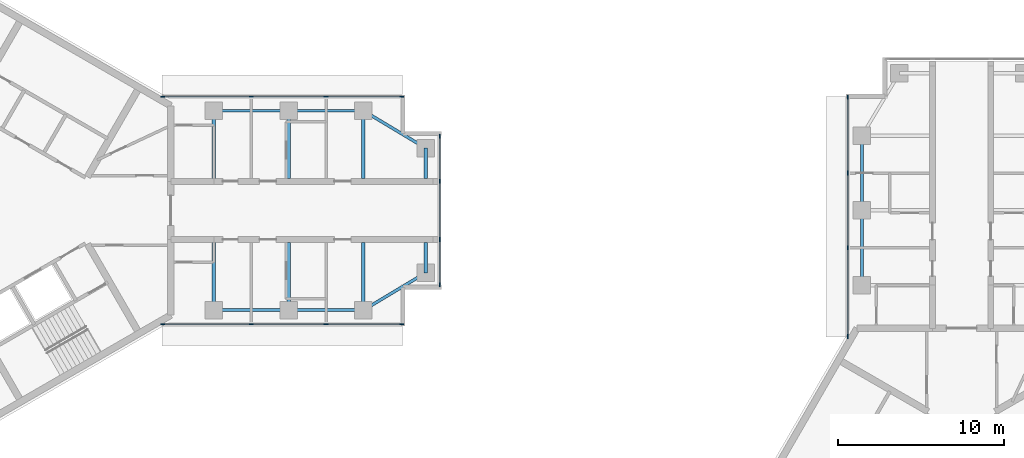
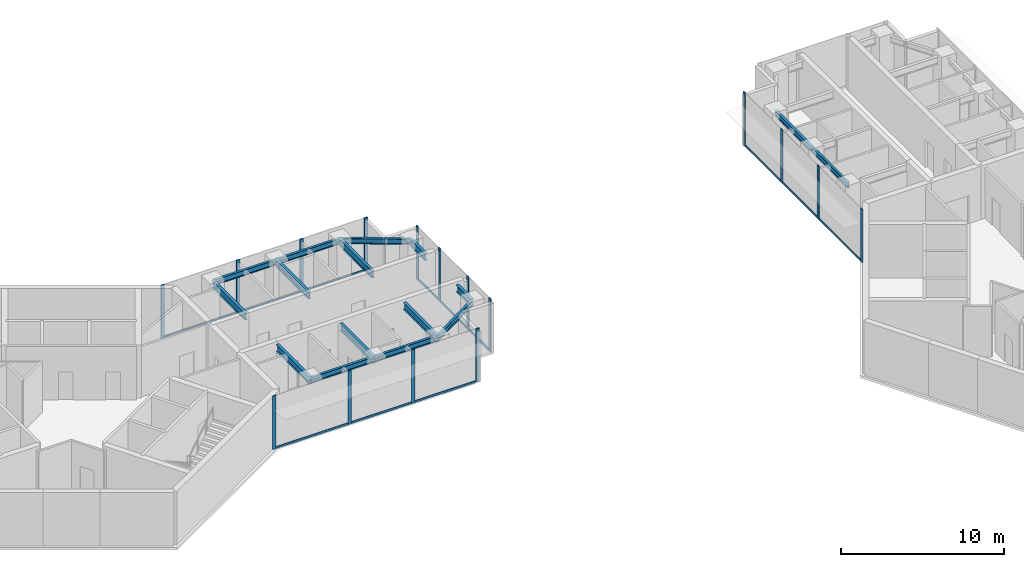
# One storey, part 2 of 11: 28 members, 16 beams, 4 elements without a shape of their own.
"""IFC4 building model written with IfcOpenShell, lengths in metres."""

import ifcopenshell
import ifcopenshell.guid

model = None  # the IFC model being written
_history = None  # IfcOwnerHistory: only IFC2X3 demands one
_inside = {}  # id of a spatial element -> (the spatial element, [elements in it])
_under = {}  # id of a project, library or spatial element -> (it, [spatial elements below it])
_declared = {}  # id of a project -> (the project, [libraries it declares])
_typed = {}  # id of a type object -> (the type object, [elements of that type])
_made_of = {}  # id of a material, layer set ... -> (it, [elements and type objects made of it])


def new_model(schema):
    """Start an empty IFC model of exactly this schema.

    Asked for "IFC4X3", IfcOpenShell would pick the latest addendum, in which some entities
    have other attributes; the version numbers below select the first issue.
    IFC2X3 requires an IfcOwnerHistory on every rooted entity: one is made here for all.
    """
    global model, _history
    if schema == "IFC4X3":
        model = ifcopenshell.file(schema_version=(4, 3, 0, 0))
    else:
        model = ifcopenshell.file(schema=schema)
    _inside.clear()
    _under.clear()
    _declared.clear()
    _typed.clear()
    _made_of.clear()
    _history = None
    if model.schema == "IFC2X3":
        org = make("IfcOrganization", Name="unknown")
        user = make(
            "IfcPersonAndOrganization",
            ThePerson=make("IfcPerson", FamilyName="unknown"),
            TheOrganization=org,
        )
        app = make(
            "IfcApplication",
            ApplicationDeveloper=org,
            Version="unknown",
            ApplicationFullName="unknown",
            ApplicationIdentifier="unknown",
        )
        _history = make(
            "IfcOwnerHistory",
            OwningUser=user,
            OwningApplication=app,
            ChangeAction="ADDED",
            CreationDate=0,
        )
    return model


def make(cls, **values):
    """One entity of the class cls with the attributes given. An attribute that is None is left unset."""
    return model.create_entity(
        cls, **{name: value for name, value in values.items() if value is not None}
    )


def rooted(cls, **values):
    """An entity with a GlobalId (a new one), such as an element, a storey or a relation."""
    return make(cls, GlobalId=ifcopenshell.guid.new(), OwnerHistory=_history, **values)


def si_unit(unit_type, name, prefix=None):
    """IfcSIUnit, for example si_unit("LENGTHUNIT", "METRE", prefix="MILLI")."""
    return make("IfcSIUnit", UnitType=unit_type, Prefix=prefix, Name=name)


def assignment(units):
    """IfcUnitAssignment: the units of a project."""
    return None if units is None else make("IfcUnitAssignment", Units=units)


def point(xyz):
    """IfcCartesianPoint."""
    return None if xyz is None else make("IfcCartesianPoint", Coordinates=xyz)


def direction(xyz):
    """IfcDirection."""
    return None if xyz is None else make("IfcDirection", DirectionRatios=xyz)


def frame(location, z_axis=None, x_axis=None):
    """IfcAxis2Placement3D, a coordinate frame: its origin and axes. An axis left out is left unset."""
    return make(
        "IfcAxis2Placement3D",
        Location=point(location),
        Axis=direction(z_axis),
        RefDirection=direction(x_axis),
    )


def frame_2d(location, x_axis=None):
    """IfcAxis2Placement2D, a coordinate frame in the plane: its origin and x axis."""
    return make(
        "IfcAxis2Placement2D", Location=point(location), RefDirection=direction(x_axis)
    )


def origin():
    """The frame at (0, 0, 0) with its axes left unset."""
    return frame((0.0, 0.0, 0.0))


def origin_2d():
    """The frame at (0, 0) in the plane with its x axis left unset."""
    return frame_2d((0.0, 0.0))


def place(relative_to, where):
    """IfcLocalPlacement: puts the frame where relative to a parent placement (None: the world)."""
    return make(
        "IfcLocalPlacement", PlacementRelTo=relative_to, RelativePlacement=where
    )


def context(
    kind, dimensions, precision=None, world=None, true_north=None, identifier=None
):
    """IfcGeometricRepresentationContext, for example the 3D "Model" context."""
    return make(
        "IfcGeometricRepresentationContext",
        ContextIdentifier=identifier,
        ContextType=kind,
        CoordinateSpaceDimension=dimensions,
        Precision=precision,
        WorldCoordinateSystem=world,
        TrueNorth=true_north,
    )


def subcontext(parent, identifier, kind, view, scale=None):
    """IfcGeometricRepresentationSubContext, for example "Body" below "Model"."""
    return make(
        "IfcGeometricRepresentationSubContext",
        ContextIdentifier=identifier,
        ContextType=kind,
        ParentContext=parent,
        TargetScale=scale,
        TargetView=view,
    )


def project(units=None, contexts=None):
    """IfcProject with its units and contexts."""
    return rooted(
        "IfcProject",
        Name="project",
        RepresentationContexts=contexts,
        UnitsInContext=assignment(units),
    )


def spatial(cls, under=None, at=None, **own):
    """A site, building, storey or space (cls), placed at a placement, below another one or the project."""
    s = rooted(cls, ObjectPlacement=at, **own)
    if under is not None:
        _under.setdefault(under.id(), (under, []))[1].append(s)
    return s


def profile(cls, at=None, kind="AREA", **sizes):
    """A parametric profile (cls). Its sizes go by their IFC names, for example OverallWidth=200.0."""
    return make(cls, ProfileType=kind, Position=at, **sizes)


def rectangle(**sizes):
    """IfcRectangleProfileDef."""
    return profile("IfcRectangleProfileDef", **sizes)


def i_section(**sizes):
    """IfcIShapeProfileDef."""
    return profile("IfcIShapeProfileDef", **sizes)


def extrude(swept, where, along, depth):
    """IfcExtrudedAreaSolid: the profile swept, set in the frame where, extruded along a direction by depth."""
    return make(
        "IfcExtrudedAreaSolid",
        SweptArea=swept,
        Position=where,
        ExtrudedDirection=direction(along),
        Depth=depth,
    )


def shape(context_of_items, identifier, shape_type, items):
    """IfcShapeRepresentation: the items that make up one representation, for example the "Body"."""
    return make(
        "IfcShapeRepresentation",
        ContextOfItems=context_of_items,
        RepresentationIdentifier=identifier,
        RepresentationType=shape_type,
        Items=items,
    )


def material(Name=None, Category=None):
    """IfcMaterial."""
    return make("IfcMaterial", Name=Name, Category=Category)


def material_profile(
    of_material, cross_section, Name=None, Category=None, Priority=None
):
    """IfcMaterialProfile: a cross section and its material."""
    return make(
        "IfcMaterialProfile",
        Name=Name,
        Material=of_material,
        Profile=cross_section,
        Priority=Priority,
        Category=Category,
    )


def profile_set(profiles, Name=None, composite=None):
    """IfcMaterialProfileSet."""
    return make(
        "IfcMaterialProfileSet",
        Name=Name,
        MaterialProfiles=profiles,
        CompositeProfile=composite,
    )


def made_of(thing, what):
    """Note that an element or type object is made of a material, layer set ...; save() writes the relation."""
    if what is not None:
        _made_of.setdefault(what.id(), (what, []))[1].append(thing)
    return thing


def type_object(cls, material=None, **own):
    """A type object (cls), such as IfcWallType, which elements share."""
    return made_of(rooted(cls, **own), material)


def element(
    cls,
    number,
    at=None,
    inside=None,
    cuts=None,
    type_object=None,
    material=None,
    context=None,
    identifier="Body",
    shape_type=None,
    held_by="IfcProductDefinitionShape",
    body=None,
    shapes=None,
    **own,
):
    """One element of the class cls, such as IfcWall. Its Tag is "e" and its number.

    at: its placement. inside: the storey or other place that contains it. cuts: it is an
    opening in that element (IfcRelVoidsElement). A single representation is given by context,
    identifier, shape_type and body (its items); several are given by shapes. held_by: the class
    of the entity that holds the representations. save() writes the other relations.
    """
    e = rooted(cls, Tag="e%d" % number, ObjectPlacement=at, **own)
    if body is not None:
        shapes = [shape(context, identifier, shape_type, body)]
    if shapes is not None:
        e.Representation = make(held_by, Representations=shapes)
    if inside is not None:
        _inside.setdefault(inside.id(), (inside, []))[1].append(e)
    if cuts is not None:
        rooted(
            "IfcRelVoidsElement", RelatingBuildingElement=cuts, RelatedOpeningElement=e
        )
    if type_object is not None:
        _typed.setdefault(type_object.id(), (type_object, []))[1].append(e)
    return made_of(e, material)


def aggregate(whole, parts):
    """IfcRelAggregates: a whole, such as a stair, and the parts it consists of."""
    return rooted("IfcRelAggregates", RelatingObject=whole, RelatedObjects=parts)


def save(model, path):
    """Write the relations noted so far, then the file.

    IfcRelAggregates (storeys below a building ...), IfcRelContainedInSpatialStructure (elements
    in a storey), IfcRelDefinesByType, IfcRelAssociatesMaterial and IfcRelDeclares: one each for
    every whole, place, type object, material and project.
    """
    for whole, parts in _under.values():
        aggregate(whole, parts)
    for where, things in _inside.values():
        rooted(
            "IfcRelContainedInSpatialStructure",
            RelatedElements=things,
            RelatingStructure=where,
        )
    for kind, things in _typed.values():
        rooted("IfcRelDefinesByType", RelatedObjects=things, RelatingType=kind)
    for what, things in _made_of.values():
        rooted("IfcRelAssociatesMaterial", RelatedObjects=things, RelatingMaterial=what)
    for by, libraries in _declared.values():
        rooted("IfcRelDeclares", RelatingContext=by, RelatedDefinitions=libraries)
    model.write(path)


model = new_model("IFC4")

# Units and contexts
model_context = context("Model", 3, precision=1e-05, world=origin(), true_north=direction((0.0, 1.0)))
body_context = subcontext(model_context, "Body", "Model", "MODEL_VIEW")
ifc_project = project(units=[si_unit("LENGTHUNIT", "METRE"), si_unit("AREAUNIT", "SQUARE_METRE"), si_unit("VOLUMEUNIT", "CUBIC_METRE"), si_unit("PLANEANGLEUNIT", "RADIAN"), si_unit("MASSUNIT", "GRAM", prefix="KILO")], contexts=[model_context])

# Site, building, storey
site_placement = place(None, origin())
site = spatial("IfcSite", under=ifc_project, at=site_placement, CompositionType="ELEMENT")
building_placement = place(site_placement, origin())
building = spatial("IfcBuilding", under=site, at=building_placement, Name="Upepo Twin Towers", CompositionType="ELEMENT")
storey_placement = place(building_placement, frame((0.0, 0.0, 259.5)))
storey = spatial("IfcBuildingStorey", under=building, at=storey_placement, Name="L63", CompositionType="ELEMENT", Elevation=259.5)

# Beams
ifc_material_1 = material(Name="Steel S355", Category="steel")
ifc_material_profile_1 = material_profile(ifc_material_1, i_section(OverallWidth=0.177978515625, OverallDepth=0.406494140625, WebThickness=0.0078125, FlangeThickness=0.0126953125, FilletRadius=0.01025390625, at=origin_2d()), Name="UB 406x178x60")
ifc_profile_set_1 = profile_set([ifc_material_profile_1], Name="Steel S355")
beam_type_1 = type_object("IfcBeamType", Name="Beam UB 406x178x60", PredefinedType="BEAM", material=ifc_profile_set_1)
for number, where, z_axis, x_axis, name in (
    (1, (13.5, 6.0, 3.5966796875), (1.0, 0.0, 0.0), (0.0, 1.0, 0.0), "T1 edge beam AL 13.5-18.0"),
    (2, (18.0, 6.0, 3.5966796875), (1.0, 0.0, 0.0), (0.0, 1.0, 0.0), "T1 edge beam AL 18.0-22.5"),
):
    element("IfcBeam", number, at=place(storey_placement, frame(where, z_axis=z_axis, x_axis=x_axis)), inside=storey, type_object=beam_type_1, Name=name, PredefinedType="BEAM", context=body_context, shape_type="SweptSolid", body=[
        extrude(i_section(OverallWidth=0.177978515625, OverallDepth=0.406494140625, WebThickness=0.0078125, FlangeThickness=0.0126953125, FilletRadius=0.01025390625, at=origin_2d()), origin(), (0.0, 0.0, 1.0), 4.5),
    ])
beam_1_placement = place(storey_placement, frame((22.5, 6.0, 3.5966796875), z_axis=(0.857492925713, -0.514495755428, 0.0), x_axis=(0.514495755428, 0.857492925713, 0.0)))
element("IfcBeam", 3, at=beam_1_placement, inside=storey, type_object=beam_type_1, Name="T1 nose edge beam AL", PredefinedType="BEAM", context=body_context, shape_type="SweptSolid", body=[
    extrude(i_section(OverallWidth=0.177978515625, OverallDepth=0.406494140625, WebThickness=0.0078125, FlangeThickness=0.0126953125, FilletRadius=0.01025390625, at=origin_2d()), origin(), (0.0, 0.0, 1.0), 4.373291015625),
])
for number, where, z_axis, x_axis, name in (
    (4, (13.5, -6.0, 3.5966796875), (1.0, 0.0, 0.0), (0.0, 1.0, 0.0), "T1 edge beam AR 13.5-18.0"),
    (5, (18.0, -6.0, 3.5966796875), (1.0, 0.0, 0.0), (0.0, 1.0, 0.0), "T1 edge beam AR 18.0-22.5"),
):
    element("IfcBeam", number, at=place(storey_placement, frame(where, z_axis=z_axis, x_axis=x_axis)), inside=storey, type_object=beam_type_1, Name=name, PredefinedType="BEAM", context=body_context, shape_type="SweptSolid", body=[
        extrude(i_section(OverallWidth=0.177978515625, OverallDepth=0.406494140625, WebThickness=0.0078125, FlangeThickness=0.0126953125, FilletRadius=0.01025390625, at=origin_2d()), origin(), (0.0, 0.0, 1.0), 4.5),
    ])
beam_2_placement = place(storey_placement, frame((22.5, -6.0, 3.5966796875), z_axis=(0.857492925713, 0.514495755428, 0.0), x_axis=(-0.514495755428, 0.857492925713, 0.0)))
element("IfcBeam", 6, at=beam_2_placement, inside=storey, type_object=beam_type_1, Name="T1 nose edge beam AR", PredefinedType="BEAM", context=body_context, shape_type="SweptSolid", body=[
    extrude(i_section(OverallWidth=0.177978515625, OverallDepth=0.406494140625, WebThickness=0.0078125, FlangeThickness=0.0126953125, FilletRadius=0.01025390625, at=origin_2d()), origin(), (0.0, 0.0, 1.0), 4.373291015625),
])
for number, where, z_axis, x_axis, name in (
    (7, (52.5, -4.5, 3.5966796875), (0.0, 1.0, 0.0), (-1.0, 0.0, 0.0), "T2 edge beam AL 13.5-18.0"),
    (8, (52.5, 0.0, 3.5966796875), (0.0, 1.0, 0.0), (-1.0, 0.0, 0.0), "T2 edge beam AL 18.0-22.5"),
):
    element("IfcBeam", number, at=place(storey_placement, frame(where, z_axis=z_axis, x_axis=x_axis)), inside=storey, type_object=beam_type_1, Name=name, PredefinedType="BEAM", context=body_context, shape_type="SweptSolid", body=[
        extrude(i_section(OverallWidth=0.177978515625, OverallDepth=0.406494140625, WebThickness=0.0078125, FlangeThickness=0.0126953125, FilletRadius=0.01025390625, at=origin_2d()), origin(), (0.0, 0.0, 1.0), 4.5),
    ])
ifc_material_2 = material(Name="Steel S355", Category="steel")
ifc_material_profile_2 = material_profile(ifc_material_2, i_section(OverallWidth=0.2099609375, OverallDepth=0.53662109375, WebThickness=0.0107421875, FlangeThickness=0.017333984375, FilletRadius=0.0126953125, at=origin_2d()), Name="UB 533x210x101")
ifc_profile_set_2 = profile_set([ifc_material_profile_2], Name="Steel S355")
beam_type_2 = type_object("IfcBeamType", Name="Beam UB 533x210x101", PredefinedType="BEAM", material=ifc_profile_set_2)
for number, where, z_axis, x_axis, name in (
    (9, (26.25, 3.75, 3.53173828125), (0.0, -1.0, 0.0), (1.0, 0.0, 0.0), "T1 nose beam AL"),
    (10, (26.25, -3.75, 3.53173828125), (0.0, 1.0, 0.0), (-1.0, 0.0, 0.0), "T1 nose beam AR"),
):
    element("IfcBeam", number, at=place(storey_placement, frame(where, z_axis=z_axis, x_axis=x_axis)), inside=storey, type_object=beam_type_2, Name=name, PredefinedType="BEAM", context=body_context, shape_type="SweptSolid", body=[
        extrude(i_section(OverallWidth=0.2099609375, OverallDepth=0.53662109375, WebThickness=0.0107421875, FlangeThickness=0.017333984375, FilletRadius=0.0126953125, at=origin_2d()), origin(), (0.0, 0.0, 1.0), 1.824951171875),
    ])
ifc_material_3 = material(Name="Steel S355", Category="steel")
ifc_material_profile_3 = material_profile(ifc_material_3, i_section(OverallWidth=0.209228515625, OverallDepth=0.533203125, WebThickness=0.010009765625, FlangeThickness=0.015625, FilletRadius=0.0126953125, at=origin_2d()), Name="UB 533x210x92")
ifc_profile_set_3 = profile_set([ifc_material_profile_3], Name="Steel S355")
beam_type_3 = type_object("IfcBeamType", Name="Beam UB 533x210x92", PredefinedType="BEAM", material=ifc_profile_set_3)
for number, where, z_axis, x_axis, name in (
    (11, (13.5, 6.0, 3.533447265625), (0.0, -1.0, 0.0), (1.0, 0.0, 0.0), "T1 girder AL at 13.5"),
    (12, (18.0, 6.0, 3.533447265625), (0.0, -1.0, 0.0), (1.0, 0.0, 0.0), "T1 girder AL at 18.0"),
    (13, (22.5, 6.0, 3.533447265625), (0.0, -1.0, 0.0), (1.0, 0.0, 0.0), "T1 girder AL at 22.5"),
    (14, (13.5, -6.0, 3.533447265625), (0.0, 1.0, 0.0), (-1.0, 0.0, 0.0), "T1 girder AR at 13.5"),
    (15, (18.0, -6.0, 3.533447265625), (0.0, 1.0, 0.0), (-1.0, 0.0, 0.0), "T1 girder AR at 18.0"),
    (16, (22.5, -6.0, 3.533447265625), (0.0, 1.0, 0.0), (-1.0, 0.0, 0.0), "T1 girder AR at 22.5"),
):
    element("IfcBeam", number, at=place(storey_placement, frame(where, z_axis=z_axis, x_axis=x_axis)), inside=storey, type_object=beam_type_3, Name=name, PredefinedType="BEAM", context=body_context, shape_type="SweptSolid", body=[
        extrude(i_section(OverallWidth=0.209228515625, OverallDepth=0.533203125, WebThickness=0.010009765625, FlangeThickness=0.015625, FilletRadius=0.0126953125, at=origin_2d()), origin(), (0.0, 0.0, 1.0), 4.074951171875),
    ])

# Curtain wall, members
ifc_material_4 = material(Name="Aluminium and fritted glass", Category="aluminium")
curtain_wall_type = type_object("IfcCurtainWallType", Name="Tower curtain wall TW4, fritted glass", PredefinedType="NOTDEFINED", material=ifc_material_4)
curtain_wall_1_placement = place(storey_placement, origin())
curtain_wall_1 = element("IfcCurtainWall", 17, at=curtain_wall_1_placement, inside=storey, type_object=curtain_wall_type, Name="T1 L63 wing A flank L curtain wall", PredefinedType="NOTDEFINED")
ifc_material_5 = material(Name="Aluminium mullion", Category="aluminium")
ifc_material_profile_4 = material_profile(ifc_material_5, rectangle(XDim=0.06494140625, YDim=0.25, at=origin_2d()), Name="MULLION 65x250")
ifc_profile_set_4 = profile_set([ifc_material_profile_4], Name="Aluminium mullion")
member_type_1 = type_object("IfcMemberType", Name="Mullion 65x250 TW4", PredefinedType="MULLION", material=ifc_profile_set_4)
member_1_placement = place(storey_placement, frame((10.419677734375, 6.85009765625, 0.0), z_axis=(0.0, 0.0, 1.0), x_axis=(0.0, 1.0, 0.0)))
member_1 = element("IfcMember", 18, at=member_1_placement, type_object=member_type_1, Name="T1 L63 wing A flank L curtain wall mullion 1", PredefinedType="MULLION", context=body_context, shape_type="SweptSolid", body=[
    extrude(rectangle(XDim=0.06494140625, YDim=0.25, at=origin_2d()), origin(), (0.0, 0.0, 1.0), 4.0),
])
member_2_placement = place(storey_placement, frame((15.75, 6.85009765625, 0.0), z_axis=(0.0, 0.0, 1.0), x_axis=(0.0, 1.0, 0.0)))
member_2 = element("IfcMember", 19, at=member_2_placement, type_object=member_type_1, Name="T1 L63 wing A flank L curtain wall mullion 2", PredefinedType="MULLION", context=body_context, shape_type="SweptSolid", body=[
    extrude(rectangle(XDim=0.06494140625, YDim=0.25, at=origin_2d()), origin(), (0.0, 0.0, 1.0), 4.0),
])
member_3_placement = place(storey_placement, frame((20.25, 6.85009765625, 0.0), z_axis=(0.0, 0.0, 1.0), x_axis=(0.0, 1.0, 0.0)))
member_3 = element("IfcMember", 20, at=member_3_placement, type_object=member_type_1, Name="T1 L63 wing A flank L curtain wall mullion 3", PredefinedType="MULLION", context=body_context, shape_type="SweptSolid", body=[
    extrude(rectangle(XDim=0.06494140625, YDim=0.25, at=origin_2d()), origin(), (0.0, 0.0, 1.0), 4.0),
])
member_4_placement = place(storey_placement, frame((24.8173828125, 6.85009765625, 0.0), z_axis=(0.0, 0.0, 1.0), x_axis=(0.0, 1.0, 0.0)))
member_4 = element("IfcMember", 21, at=member_4_placement, type_object=member_type_1, Name="T1 L63 wing A flank L curtain wall mullion 4", PredefinedType="MULLION", context=body_context, shape_type="SweptSolid", body=[
    extrude(rectangle(XDim=0.06494140625, YDim=0.25, at=origin_2d()), origin(), (0.0, 0.0, 1.0), 4.0),
])

curtain_wall_2_placement = place(storey_placement, origin())
curtain_wall_2 = element("IfcCurtainWall", 22, at=curtain_wall_2_placement, inside=storey, type_object=curtain_wall_type, Name="T1 L63 wing A flank R curtain wall", PredefinedType="NOTDEFINED")
member_5_placement = place(storey_placement, frame((24.8173828125, -6.85009765625, 0.0), z_axis=(0.0, 0.0, 1.0), x_axis=(0.0, -1.0, 0.0)))
member_5 = element("IfcMember", 23, at=member_5_placement, type_object=member_type_1, Name="T1 L63 wing A flank R curtain wall mullion 1", PredefinedType="MULLION", context=body_context, shape_type="SweptSolid", body=[
    extrude(rectangle(XDim=0.06494140625, YDim=0.25, at=origin_2d()), origin(), (0.0, 0.0, 1.0), 4.0),
])
member_6_placement = place(storey_placement, frame((20.25, -6.85009765625, 0.0), z_axis=(0.0, 0.0, 1.0), x_axis=(0.0, -1.0, 0.0)))
member_6 = element("IfcMember", 24, at=member_6_placement, type_object=member_type_1, Name="T1 L63 wing A flank R curtain wall mullion 2", PredefinedType="MULLION", context=body_context, shape_type="SweptSolid", body=[
    extrude(rectangle(XDim=0.06494140625, YDim=0.25, at=origin_2d()), origin(), (0.0, 0.0, 1.0), 4.0),
])
member_7_placement = place(storey_placement, frame((15.75, -6.85009765625, 0.0), z_axis=(0.0, 0.0, 1.0), x_axis=(0.0, -1.0, 0.0)))
member_7 = element("IfcMember", 25, at=member_7_placement, type_object=member_type_1, Name="T1 L63 wing A flank R curtain wall mullion 3", PredefinedType="MULLION", context=body_context, shape_type="SweptSolid", body=[
    extrude(rectangle(XDim=0.06494140625, YDim=0.25, at=origin_2d()), origin(), (0.0, 0.0, 1.0), 4.0),
])
member_8_placement = place(storey_placement, frame((10.419677734375, -6.85009765625, 0.0), z_axis=(0.0, 0.0, 1.0), x_axis=(0.0, -1.0, 0.0)))
member_8 = element("IfcMember", 26, at=member_8_placement, type_object=member_type_1, Name="T1 L63 wing A flank R curtain wall mullion 4", PredefinedType="MULLION", context=body_context, shape_type="SweptSolid", body=[
    extrude(rectangle(XDim=0.06494140625, YDim=0.25, at=origin_2d()), origin(), (0.0, 0.0, 1.0), 4.0),
])

curtain_wall_3_placement = place(storey_placement, origin())
curtain_wall_3 = element("IfcCurtainWall", 27, at=curtain_wall_3_placement, inside=storey, type_object=curtain_wall_type, Name="T1 L63 wing A nose curtain wall", PredefinedType="NOTDEFINED")
member_9_placement = place(storey_placement, frame((27.10009765625, -4.467529296875, 0.0), z_axis=(0.0, 0.0, 1.0), x_axis=(-1.0, 0.0, 0.0)))
member_9 = element("IfcMember", 28, at=member_9_placement, type_object=member_type_1, Name="T1 L63 wing A nose curtain wall mullion 1", PredefinedType="MULLION", context=body_context, shape_type="SweptSolid", body=[
    extrude(rectangle(XDim=0.06494140625, YDim=0.25, at=origin_2d()), origin(), (0.0, 0.0, 1.0), 4.0),
])
member_10_placement = place(storey_placement, frame((27.10009765625, -1.75, 0.0), z_axis=(0.0, 0.0, 1.0), x_axis=(-1.0, 0.0, 0.0)))
member_10 = element("IfcMember", 29, at=member_10_placement, type_object=member_type_1, Name="T1 L63 wing A nose curtain wall mullion 2", PredefinedType="MULLION", context=body_context, shape_type="SweptSolid", body=[
    extrude(rectangle(XDim=0.06494140625, YDim=0.25, at=origin_2d()), origin(), (0.0, 0.0, 1.0), 4.0),
])
member_11_placement = place(storey_placement, frame((27.10009765625, 1.75, 0.0), z_axis=(0.0, 0.0, 1.0), x_axis=(-1.0, 0.0, 0.0)))
member_11 = element("IfcMember", 30, at=member_11_placement, type_object=member_type_1, Name="T1 L63 wing A nose curtain wall mullion 3", PredefinedType="MULLION", context=body_context, shape_type="SweptSolid", body=[
    extrude(rectangle(XDim=0.06494140625, YDim=0.25, at=origin_2d()), origin(), (0.0, 0.0, 1.0), 4.0),
])
member_12_placement = place(storey_placement, frame((27.10009765625, 4.467529296875, 0.0), z_axis=(0.0, 0.0, 1.0), x_axis=(-1.0, 0.0, 0.0)))
member_12 = element("IfcMember", 31, at=member_12_placement, type_object=member_type_1, Name="T1 L63 wing A nose curtain wall mullion 4", PredefinedType="MULLION", context=body_context, shape_type="SweptSolid", body=[
    extrude(rectangle(XDim=0.06494140625, YDim=0.25, at=origin_2d()), origin(), (0.0, 0.0, 1.0), 4.0),
])

curtain_wall_4_placement = place(storey_placement, origin())
curtain_wall_4 = element("IfcCurtainWall", 32, at=curtain_wall_4_placement, inside=storey, type_object=curtain_wall_type, Name="T2 L63 wing A flank L curtain wall", PredefinedType="NOTDEFINED")
member_13_placement = place(storey_placement, frame((51.64990234375, -7.580322265625, 0.0), z_axis=(0.0, 0.0, 1.0), x_axis=(-1.0, 0.0, 0.0)))
member_13 = element("IfcMember", 33, at=member_13_placement, type_object=member_type_1, Name="T2 L63 wing A flank L curtain wall mullion 1", PredefinedType="MULLION", context=body_context, shape_type="SweptSolid", body=[
    extrude(rectangle(XDim=0.06494140625, YDim=0.25, at=origin_2d()), origin(), (0.0, 0.0, 1.0), 4.0),
])
member_14_placement = place(storey_placement, frame((51.64990234375, -2.25, 0.0), z_axis=(0.0, 0.0, 1.0), x_axis=(-1.0, 0.0, 0.0)))
member_14 = element("IfcMember", 34, at=member_14_placement, type_object=member_type_1, Name="T2 L63 wing A flank L curtain wall mullion 2", PredefinedType="MULLION", context=body_context, shape_type="SweptSolid", body=[
    extrude(rectangle(XDim=0.06494140625, YDim=0.25, at=origin_2d()), origin(), (0.0, 0.0, 1.0), 4.0),
])
member_15_placement = place(storey_placement, frame((51.64990234375, 2.25, 0.0), z_axis=(0.0, 0.0, 1.0), x_axis=(-1.0, 0.0, 0.0)))
member_15 = element("IfcMember", 35, at=member_15_placement, type_object=member_type_1, Name="T2 L63 wing A flank L curtain wall mullion 3", PredefinedType="MULLION", context=body_context, shape_type="SweptSolid", body=[
    extrude(rectangle(XDim=0.06494140625, YDim=0.25, at=origin_2d()), origin(), (0.0, 0.0, 1.0), 4.0),
])
member_16_placement = place(storey_placement, frame((51.64990234375, 6.8173828125, 0.0), z_axis=(0.0, 0.0, 1.0), x_axis=(-1.0, 0.0, 0.0)))
member_16 = element("IfcMember", 36, at=member_16_placement, type_object=member_type_1, Name="T2 L63 wing A flank L curtain wall mullion 4", PredefinedType="MULLION", context=body_context, shape_type="SweptSolid", body=[
    extrude(rectangle(XDim=0.06494140625, YDim=0.25, at=origin_2d()), origin(), (0.0, 0.0, 1.0), 4.0),
])

# Member
ifc_material_6 = material(Name="Aluminium transom", Category="aluminium")
ifc_material_profile_5 = material_profile(ifc_material_6, rectangle(XDim=0.06494140625, YDim=0.14990234375, at=origin_2d()), Name="TRANSOM 65x150")
ifc_profile_set_5 = profile_set([ifc_material_profile_5], Name="Aluminium transom")
member_type_2 = type_object("IfcMemberType", Name="Transom 65x150 TW4", PredefinedType="USERDEFINED", material=ifc_profile_set_5)
member_17_placement = place(storey_placement, frame((10.4521484375, 6.85009765625, 0.074951171875), z_axis=(1.0, 0.0, 0.0), x_axis=(0.0, 1.0, 0.0)))
member_17 = element("IfcMember", 37, at=member_17_placement, type_object=member_type_2, Name="T1 L63 wing A flank L curtain wall transom 1", ObjectType="TRANSOM", PredefinedType="USERDEFINED", context=body_context, shape_type="SweptSolid", body=[
    extrude(rectangle(XDim=0.06494140625, YDim=0.14990234375, at=origin_2d()), origin(), (0.0, 0.0, 1.0), 5.265380859375),
])

member_18_placement = place(storey_placement, frame((15.782470703125, 6.85009765625, 0.074951171875), z_axis=(1.0, 0.0, 0.0), x_axis=(0.0, 1.0, 0.0)))
member_18 = element("IfcMember", 38, at=member_18_placement, type_object=member_type_2, Name="T1 L63 wing A flank L curtain wall transom 2", ObjectType="TRANSOM", PredefinedType="USERDEFINED", context=body_context, shape_type="SweptSolid", body=[
    extrude(rectangle(XDim=0.06494140625, YDim=0.14990234375, at=origin_2d()), origin(), (0.0, 0.0, 1.0), 4.43505859375),
])

member_19_placement = place(storey_placement, frame((20.282470703125, 6.85009765625, 0.074951171875), z_axis=(1.0, 0.0, 0.0), x_axis=(0.0, 1.0, 0.0)))
member_19 = element("IfcMember", 39, at=member_19_placement, type_object=member_type_2, Name="T1 L63 wing A flank L curtain wall transom 3", ObjectType="TRANSOM", PredefinedType="USERDEFINED", context=body_context, shape_type="SweptSolid", body=[
    extrude(rectangle(XDim=0.06494140625, YDim=0.14990234375, at=origin_2d()), origin(), (0.0, 0.0, 1.0), 4.50244140625),
])

aggregate(curtain_wall_1, [member_1, member_2, member_3, member_4, member_17, member_18, member_19])

member_20_placement = place(storey_placement, frame((24.784912109375, -6.85009765625, 0.074951171875), z_axis=(-1.0, 0.0, 0.0), x_axis=(0.0, -1.0, 0.0)))
member_20 = element("IfcMember", 40, at=member_20_placement, type_object=member_type_2, Name="T1 L63 wing A flank R curtain wall transom 1", ObjectType="TRANSOM", PredefinedType="USERDEFINED", context=body_context, shape_type="SweptSolid", body=[
    extrude(rectangle(XDim=0.06494140625, YDim=0.14990234375, at=origin_2d()), origin(), (0.0, 0.0, 1.0), 4.50244140625),
])

member_21_placement = place(storey_placement, frame((20.217529296875, -6.85009765625, 0.074951171875), z_axis=(-1.0, 0.0, 0.0), x_axis=(0.0, -1.0, 0.0)))
member_21 = element("IfcMember", 41, at=member_21_placement, type_object=member_type_2, Name="T1 L63 wing A flank R curtain wall transom 2", ObjectType="TRANSOM", PredefinedType="USERDEFINED", context=body_context, shape_type="SweptSolid", body=[
    extrude(rectangle(XDim=0.06494140625, YDim=0.14990234375, at=origin_2d()), origin(), (0.0, 0.0, 1.0), 4.43505859375),
])

member_22_placement = place(storey_placement, frame((15.717529296875, -6.85009765625, 0.074951171875), z_axis=(-1.0, 0.0, 0.0), x_axis=(0.0, -1.0, 0.0)))
member_22 = element("IfcMember", 42, at=member_22_placement, type_object=member_type_2, Name="T1 L63 wing A flank R curtain wall transom 3", ObjectType="TRANSOM", PredefinedType="USERDEFINED", context=body_context, shape_type="SweptSolid", body=[
    extrude(rectangle(XDim=0.06494140625, YDim=0.14990234375, at=origin_2d()), origin(), (0.0, 0.0, 1.0), 5.265380859375),
])

aggregate(curtain_wall_2, [member_5, member_6, member_7, member_8, member_20, member_21, member_22])

member_23_placement = place(storey_placement, frame((27.10009765625, -4.43505859375, 0.074951171875), z_axis=(0.0, 1.0, 0.0), x_axis=(-1.0, 0.0, 0.0)))
member_23 = element("IfcMember", 43, at=member_23_placement, type_object=member_type_2, Name="T1 L63 wing A nose curtain wall transom 1", ObjectType="TRANSOM", PredefinedType="USERDEFINED", context=body_context, shape_type="SweptSolid", body=[
    extrude(rectangle(XDim=0.06494140625, YDim=0.14990234375, at=origin_2d()), origin(), (0.0, 0.0, 1.0), 2.652587890625),
])

member_24_placement = place(storey_placement, frame((27.10009765625, -1.717529296875, 0.074951171875), z_axis=(0.0, 1.0, 0.0), x_axis=(-1.0, 0.0, 0.0)))
member_24 = element("IfcMember", 44, at=member_24_placement, type_object=member_type_2, Name="T1 L63 wing A nose curtain wall transom 2", ObjectType="TRANSOM", PredefinedType="USERDEFINED", context=body_context, shape_type="SweptSolid", body=[
    extrude(rectangle(XDim=0.06494140625, YDim=0.14990234375, at=origin_2d()), origin(), (0.0, 0.0, 1.0), 3.43505859375),
])

member_25_placement = place(storey_placement, frame((27.10009765625, 1.782470703125, 0.074951171875), z_axis=(0.0, 1.0, 0.0), x_axis=(-1.0, 0.0, 0.0)))
member_25 = element("IfcMember", 45, at=member_25_placement, type_object=member_type_2, Name="T1 L63 wing A nose curtain wall transom 3", ObjectType="TRANSOM", PredefinedType="USERDEFINED", context=body_context, shape_type="SweptSolid", body=[
    extrude(rectangle(XDim=0.06494140625, YDim=0.14990234375, at=origin_2d()), origin(), (0.0, 0.0, 1.0), 2.652587890625),
])

aggregate(curtain_wall_3, [member_9, member_10, member_11, member_12, member_23, member_24, member_25])

member_26_placement = place(storey_placement, frame((51.64990234375, -7.5478515625, 0.074951171875), z_axis=(0.0, 1.0, 0.0), x_axis=(-1.0, 0.0, 0.0)))
member_26 = element("IfcMember", 46, at=member_26_placement, type_object=member_type_2, Name="T2 L63 wing A flank L curtain wall transom 1", ObjectType="TRANSOM", PredefinedType="USERDEFINED", context=body_context, shape_type="SweptSolid", body=[
    extrude(rectangle(XDim=0.06494140625, YDim=0.14990234375, at=origin_2d()), origin(), (0.0, 0.0, 1.0), 5.265380859375),
])

member_27_placement = place(storey_placement, frame((51.64990234375, -2.217529296875, 0.074951171875), z_axis=(0.0, 1.0, 0.0), x_axis=(-1.0, 0.0, 0.0)))
member_27 = element("IfcMember", 47, at=member_27_placement, type_object=member_type_2, Name="T2 L63 wing A flank L curtain wall transom 2", ObjectType="TRANSOM", PredefinedType="USERDEFINED", context=body_context, shape_type="SweptSolid", body=[
    extrude(rectangle(XDim=0.06494140625, YDim=0.14990234375, at=origin_2d()), origin(), (0.0, 0.0, 1.0), 4.43505859375),
])

member_28_placement = place(storey_placement, frame((51.64990234375, 2.282470703125, 0.074951171875), z_axis=(0.0, 1.0, 0.0), x_axis=(-1.0, 0.0, 0.0)))
member_28 = element("IfcMember", 48, at=member_28_placement, type_object=member_type_2, Name="T2 L63 wing A flank L curtain wall transom 3", ObjectType="TRANSOM", PredefinedType="USERDEFINED", context=body_context, shape_type="SweptSolid", body=[
    extrude(rectangle(XDim=0.06494140625, YDim=0.14990234375, at=origin_2d()), origin(), (0.0, 0.0, 1.0), 4.50244140625),
])

aggregate(curtain_wall_4, [member_13, member_14, member_15, member_16, member_26, member_27, member_28])

save(model, "model.ifc")
